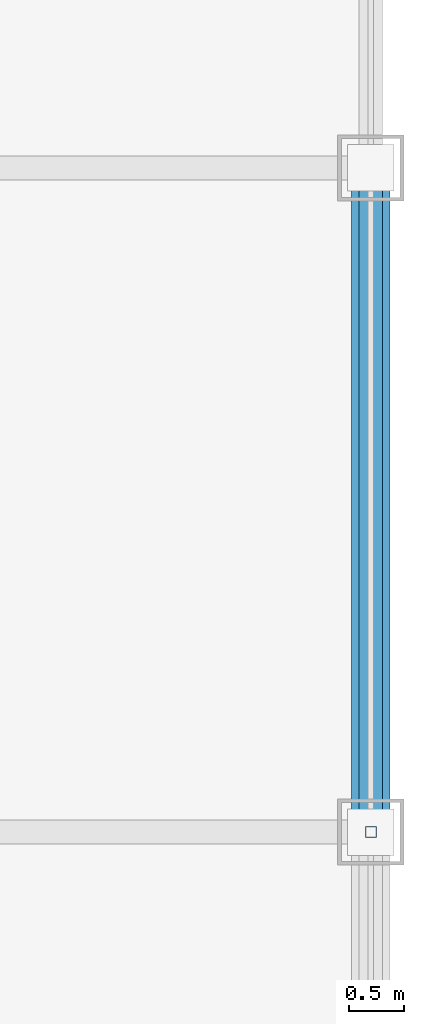
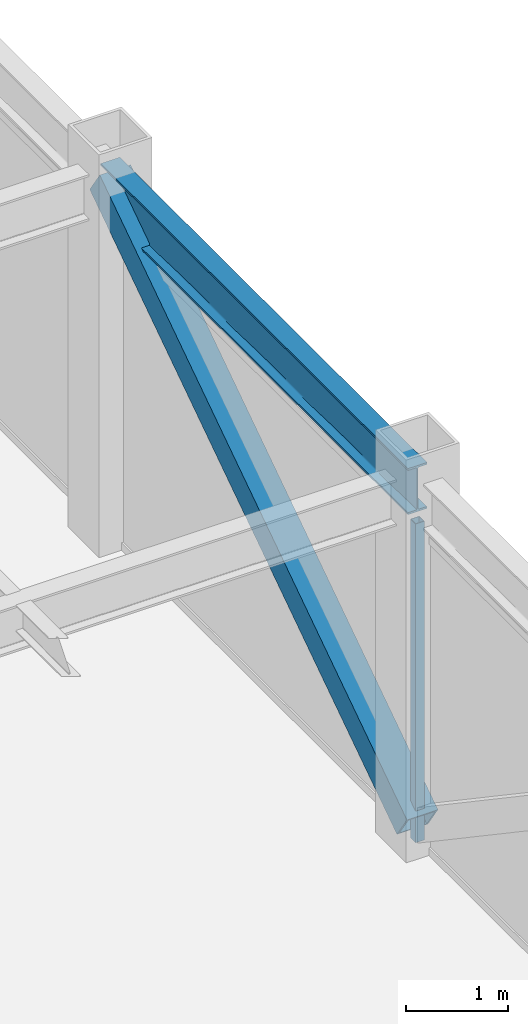
# One storey, part 12 of 27: 2 members, 1 beam, 1 element without a shape of its own.
"""IFC4 building model written with IfcOpenShell, lengths in metres."""

from ifc_helpers import new_model, si_unit, direction, frame, origin, origin_2d, place, context, subcontext, project, spatial, hollow_rectangle, i_section, extrude, source, transform, mapped, material, material_profile, profile_set, type_object, element, aggregate, save


model = new_model("IFC4")

# Units and contexts
model_context = context("Model", 3, precision=1e-05, world=origin(), true_north=direction((0.0, 1.0)))
body_context = subcontext(model_context, "Body", "Model", "MODEL_VIEW")
ifc_project = project(units=[si_unit("LENGTHUNIT", "METRE"), si_unit("AREAUNIT", "SQUARE_METRE"), si_unit("VOLUMEUNIT", "CUBIC_METRE"), si_unit("PLANEANGLEUNIT", "RADIAN"), si_unit("MASSUNIT", "GRAM", prefix="KILO")], contexts=[model_context])

# Site, building, storey
site_placement = place(None, origin())
site = spatial("IfcSite", under=ifc_project, at=site_placement, CompositionType="ELEMENT")
building_placement = place(site_placement, origin())
building = spatial("IfcBuilding", under=site, at=building_placement, Name="Khorayat Bourse Tower", CompositionType="ELEMENT")
storey_placement = place(building_placement, frame((0.0, 0.0, 385.10009765625)))
storey = spatial("IfcBuildingStorey", under=building, at=storey_placement, Name="L91", CompositionType="ELEMENT", Elevation=385.10009765625)

# Beam
ifc_material_1 = material(Name="Steel ASTM A992 Grade 50", Category="steel")
ifc_material_profile_1 = material_profile(ifc_material_1, i_section(OverallWidth=0.214111328125, OverallDepth=0.549072265625, WebThickness=0.0146484375, FlangeThickness=0.023681640625, FilletRadius=0.013916015625, at=origin_2d()), Name="W530X138")
ifc_profile_set_1 = profile_set([ifc_material_profile_1], Name="Steel ASTM A992 Grade 50")
beam_type = type_object("IfcBeamType", Name="BM-SPAN-530", PredefinedType="SPANDREL", material=ifc_profile_set_1)
shared_shape_1 = source(origin(), body_context, "Body", "SweptSolid", [
    extrude(i_section(OverallWidth=0.214111328125, OverallDepth=0.549072265625, WebThickness=0.0146484375, FlangeThickness=0.023681640625, FilletRadius=0.013916015625, at=origin_2d()), origin(), (0.0, 0.0, 1.0), 6.0),
])
beam_placement = place(storey_placement, frame((24.0, 0.0, 4.17529296875), z_axis=(0.0, 1.0, 0.0), x_axis=(-1.0, 0.0, 0.0)))
element("IfcBeam", 1, at=beam_placement, inside=storey, type_object=beam_type, Name="L91 BM-SPAN-530 BM-L91-SPN-035", PredefinedType="SPANDREL", context=body_context, shape_type="MappedRepresentation", body=[
    mapped(shared_shape_1, transform((0.0, 0.0, 0.0), scale=1.0)),
])

# Member
ifc_material_2 = material(Name="Steel EN 10025-2 S355J2", Category="steel")
ifc_material_profile_2 = material_profile(ifc_material_2, hollow_rectangle(XDim=0.35009765625, YDim=0.35009765625, WallThickness=0.02001953125, at=origin_2d()), Name="HSS 350x350x20")
ifc_profile_set_2 = profile_set([ifc_material_profile_2], Name="Steel EN 10025-2 S355J2")
member_type_1 = type_object("IfcMemberType", Name="MBR-CROWN-350", PredefinedType="USERDEFINED", material=ifc_profile_set_2)
shared_shape_2 = source(origin(), body_context, "Body", "SweptSolid", [
    extrude(hollow_rectangle(XDim=0.35009765625, YDim=0.35009765625, WallThickness=0.02001953125, at=origin_2d()), origin(), (0.0, 0.0, 1.0), 7.239013671875),
])
member_1_placement = place(storey_placement, frame((24.0, 0.0, 0.199951171875), z_axis=(0.0, 0.828845546207, 0.559477488852), x_axis=(-1.0, 0.0, 0.0)))
element("IfcMember", 2, at=member_1_placement, inside=storey, type_object=member_type_1, Name="L91 Lantern Crown Frame Member 15", ObjectType="CROWN FRAME", PredefinedType="USERDEFINED", context=body_context, shape_type="MappedRepresentation", body=[
    mapped(shared_shape_2, transform((0.0, 0.0, 0.0), scale=1.0)),
])

# Curtain wall, member
ifc_material_3 = material(Name="Aluminium EN AW-6063 T6", Category="aluminium")
curtain_wall_type = type_object("IfcCurtainWallType", Name="CW-SYS-07", PredefinedType="NOTDEFINED", material=ifc_material_3)
curtain_wall_placement = place(storey_placement, origin())
curtain_wall = element("IfcCurtainWall", 3, at=curtain_wall_placement, inside=storey, type_object=curtain_wall_type, Name="L91 Curtain Wall CW-L91-E1", PredefinedType="NOTDEFINED")
ifc_material_profile_3 = material_profile(ifc_material_3, hollow_rectangle(XDim=0.10009765625, YDim=0.10009765625, WallThickness=0.0048828125, at=origin_2d()), Name="ALU 100x100x5")
ifc_profile_set_3 = profile_set([ifc_material_profile_3], Name="Aluminium EN AW-6063 T6")
member_type_2 = type_object("IfcMemberType", Name="CWM-LANTERN-100", PredefinedType="MULLION", material=ifc_profile_set_3)
shared_shape_3 = source(origin(), body_context, "Body", "SweptSolid", [
    extrude(hollow_rectangle(XDim=0.10009765625, YDim=0.10009765625, WallThickness=0.0048828125, at=origin_2d()), origin(), (0.0, 0.0, 1.0), 3.7998046875),
])
member_2_placement = place(storey_placement, frame((24.0, 0.0, 0.0), z_axis=(0.0, 0.0, 1.0), x_axis=(-1.0, 0.0, 0.0)))
member_2 = element("IfcMember", 4, at=member_2_placement, type_object=member_type_2, Name="CW-L91-E1 Vertical Mullion 2", PredefinedType="MULLION", context=body_context, shape_type="MappedRepresentation", body=[
    mapped(shared_shape_3, transform((0.0, 0.0, 0.0), scale=1.0)),
])
aggregate(curtain_wall, [member_2])

save(model, "model.ifc")
